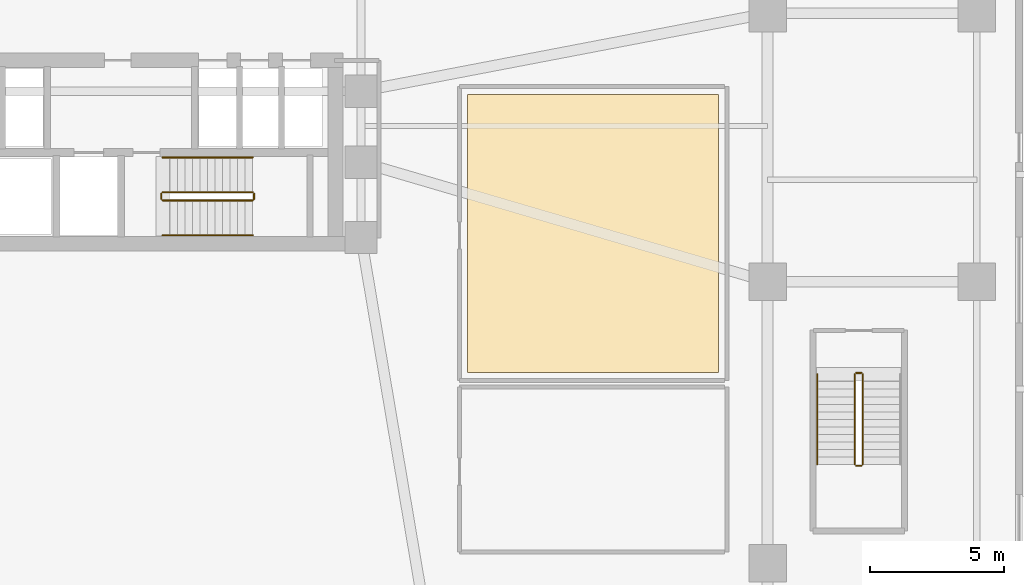
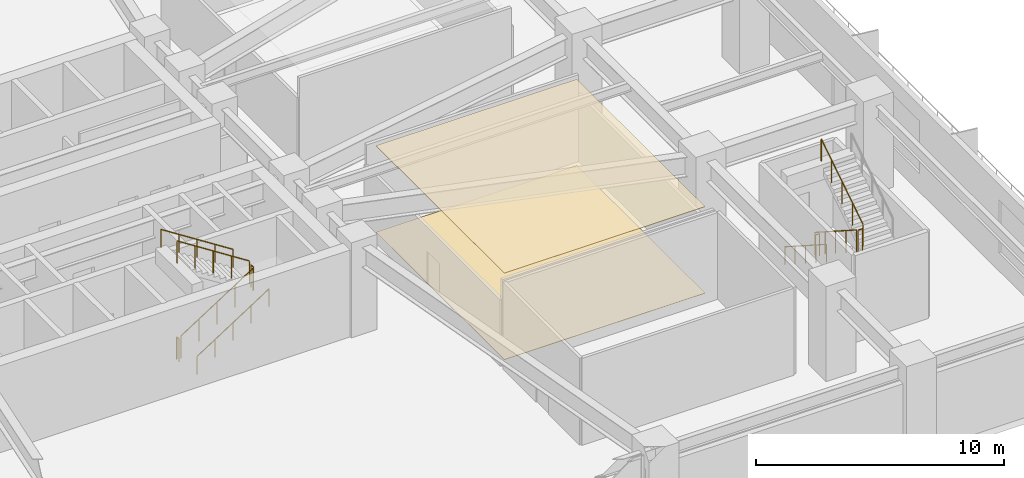
# One storey, part 11 of 13: 11 railings, 2 coverings.
"""IFC4 building model written with IfcOpenShell, lengths in metres."""

from ifc_helpers import new_model, si_unit, direction, frame, origin, origin_2d, place, context, subcontext, project, spatial, polyline, circle, outline, extrude, material, layer, layer_set, type_object, element, save


model = new_model("IFC4")

# Units and contexts
model_context = context("Model", 3, precision=1e-05, world=origin(), true_north=direction((0.0, 1.0)))
body_context = subcontext(model_context, "Body", "Model", "MODEL_VIEW")
ifc_project = project(units=[si_unit("LENGTHUNIT", "METRE"), si_unit("AREAUNIT", "SQUARE_METRE"), si_unit("VOLUMEUNIT", "CUBIC_METRE"), si_unit("PLANEANGLEUNIT", "RADIAN"), si_unit("MASSUNIT", "GRAM", prefix="KILO")], contexts=[model_context])

# Site, building, storey
site_placement = place(None, origin())
site = spatial("IfcSite", under=ifc_project, at=site_placement, CompositionType="ELEMENT")
building_placement = place(site_placement, origin())
building = spatial("IfcBuilding", under=site, at=building_placement, Name="Solmarez Civic Tower", CompositionType="ELEMENT")
storey_placement = place(building_placement, frame((0.0, 0.0, 14.760009765625)))
storey = spatial("IfcBuildingStorey", under=building, at=storey_placement, Name="L03", CompositionType="ELEMENT", Elevation=14.760009765625)

# Coverings
ifc_material_1 = material(Name="Perforated Mineral-Fibre Acoustic Ceiling")
ifc_layer_1 = layer(ifc_material_1, 0.02490234375)
ifc_layer_set_1 = layer_set([ifc_layer_1], Name="Perforated Mineral-Fibre Acoustic Ceiling")
covering_type_1 = type_object("IfcCoveringType", Name="COV-CEIL-ACOUSTIC", PredefinedType="CEILING", material=ifc_layer_set_1)
covering_1_placement = place(storey_placement, frame((0.0, 0.0, 4.2548828125)))
element("IfcCovering", 1, at=covering_1_placement, inside=storey, type_object=covering_type_1, Name="L03 Suspended Acoustic Ceiling 3", PredefinedType="CEILING", context=body_context, shape_type="SweptSolid", body=[
    extrude(outline(polyline([(22.179931640625, -13.3798828125), (22.179931640625, -3.02001953125), (12.820068359375, -3.02001953125), (12.820068359375, -13.3798828125), (22.179931640625, -13.3798828125)])), origin(), (0.0, 0.0, 1.0), 0.025146484375),
])
ifc_material_2 = material(Name="Polished Tropical Stone Terrazzo Flooring", Category="masonry")
ifc_layer_2 = layer(ifc_material_2, 0.02001953125)
ifc_layer_set_2 = layer_set([ifc_layer_2], Name="Polished Tropical Stone Terrazzo Flooring")
covering_type_2 = type_object("IfcCoveringType", Name="COV-FLOOR-TERRAZZO", PredefinedType="FLOORING", material=ifc_layer_set_2)
covering_2_placement = place(storey_placement, origin())
element("IfcCovering", 2, at=covering_2_placement, inside=storey, type_object=covering_type_2, Name="L03 Terrazzo Floor Finish 3", PredefinedType="FLOORING", context=body_context, shape_type="SweptSolid", body=[
    extrude(outline(polyline([(22.179931640625, -13.3798828125), (22.179931640625, -3.02001953125), (12.820068359375, -3.02001953125), (12.820068359375, -13.3798828125), (22.179931640625, -13.3798828125)])), origin(), (0.0, 0.0, 1.0), 0.02001953125),
])

# Railings
ifc_material_3 = material(Name="Painted Steel Stairwell Safety Guard", Category="steel")
railing_type_1 = type_object("IfcRailingType", Name="GUARD-STAIR-1120", PredefinedType="BALUSTRADE", material=ifc_material_3)
railing_1_placement = place(storey_placement, frame((1.449951171875, -6.969970703125, 0.179931640625)))
element("IfcRailing", 3, at=railing_1_placement, inside=storey, type_object=railing_type_1, Name="L03 ST-2 stair guard 1", PredefinedType="BALUSTRADE", context=body_context, shape_type="SweptSolid", body=[
    extrude(circle(Radius=0.02392578125, at=origin_2d()), frame((0.0, 0.0, 1.09619140625), z_axis=(0.8411685463, 0.0, 0.540773036232), x_axis=(0.0, 1.0, 0.0)), (0.0, 0.0, 1.0), 3.99462890625),
    extrude(circle(Radius=0.02099609375, at=origin_2d()), origin(), (0.0, 0.0, 1.0), 1.072021484375),
    extrude(circle(Radius=0.02099609375, at=origin_2d()), frame((0.840087890625, 0.0, 0.5400390625)), (0.0, 0.0, 1.0), 1.072021484375),
    extrude(circle(Radius=0.02099609375, at=origin_2d()), frame((1.68017578125, 0.0, 1.080078125)), (0.0, 0.0, 1.0), 1.072021484375),
    extrude(circle(Radius=0.02099609375, at=origin_2d()), frame((2.52001953125, 0.0, 1.6201171875)), (0.0, 0.0, 1.0), 1.072021484375),
    extrude(circle(Radius=0.02099609375, at=origin_2d()), frame((3.360107421875, 0.0, 2.16015625)), (0.0, 0.0, 1.0), 1.072021484375),
])
railing_2_placement = place(storey_placement, frame((4.860107421875, -6.919921875, 2.340087890625)))
element("IfcRailing", 4, at=railing_2_placement, inside=storey, type_object=railing_type_1, Name="L03 ST-2 stair guard 2", PredefinedType="BALUSTRADE", context=body_context, shape_type="SweptSolid", body=[
    extrude(circle(Radius=0.02392578125, at=origin_2d()), frame((0.0, 0.0, 1.09619140625), z_axis=(0.0, 1.0, 0.0), x_axis=(-1.0, 0.0, 0.0)), (0.0, 0.0, 1.0), 0.199951171875),
    extrude(circle(Radius=0.02099609375, at=origin_2d()), origin(), (0.0, 0.0, 1.0), 1.072021484375),
    extrude(circle(Radius=0.02099609375, at=origin_2d()), frame((0.0, 0.199951171875, 0.0)), (0.0, 0.0, 1.0), 1.072021484375),
])
railing_3_placement = place(storey_placement, frame((4.81005859375, -6.669921875, 2.52001953125)))
element("IfcRailing", 5, at=railing_3_placement, inside=storey, type_object=railing_type_1, Name="L03 ST-2 stair guard 3", PredefinedType="BALUSTRADE", context=body_context, shape_type="SweptSolid", body=[
    extrude(circle(Radius=0.02392578125, at=origin_2d()), frame((0.0, 0.0, 1.09619140625), z_axis=(-0.84119634759, 0.0, 0.540729789082), x_axis=(0.0, -1.0, 0.0)), (0.0, 0.0, 1.0), 3.994384765625),
    extrude(circle(Radius=0.02099609375, at=origin_2d()), origin(), (0.0, 0.0, 1.0), 1.072021484375),
    extrude(circle(Radius=0.02099609375, at=origin_2d()), frame((-0.840087890625, 0.0, 0.5400390625)), (0.0, 0.0, 1.0), 1.072021484375),
    extrude(circle(Radius=0.02099609375, at=origin_2d()), frame((-1.68017578125, 0.0, 1.080078125)), (0.0, 0.0, 1.0), 1.072021484375),
    extrude(circle(Radius=0.02099609375, at=origin_2d()), frame((-2.52001953125, 0.0, 1.619873046875)), (0.0, 0.0, 1.0), 1.072021484375),
    extrude(circle(Radius=0.02099609375, at=origin_2d()), frame((-3.360107421875, 0.0, 2.159912109375)), (0.0, 0.0, 1.0), 1.072021484375),
])
railing_4_placement = place(storey_placement, frame((1.39990234375, -6.919921875, 0.0)))
element("IfcRailing", 6, at=railing_4_placement, inside=storey, type_object=railing_type_1, Name="L03 ST-2 stair guard 4", PredefinedType="BALUSTRADE", context=body_context, shape_type="SweptSolid", body=[
    extrude(circle(Radius=0.02392578125, at=origin_2d()), frame((0.0, 0.0, 1.09619140625), z_axis=(0.0, 1.0, 0.0), x_axis=(-1.0, 0.0, 0.0)), (0.0, 0.0, 1.0), 0.199951171875),
    extrude(circle(Radius=0.02099609375, at=origin_2d()), origin(), (0.0, 0.0, 1.0), 1.072021484375),
    extrude(circle(Radius=0.02099609375, at=origin_2d()), frame((0.0, 0.199951171875, 0.0)), (0.0, 0.0, 1.0), 1.072021484375),
])
railing_5_placement = place(storey_placement, frame((27.25, -13.449951171875, 0.179931640625)))
element("IfcRailing", 7, at=railing_5_placement, inside=storey, type_object=railing_type_1, Name="L03 ST-P2 stair guard 1", PredefinedType="BALUSTRADE", context=body_context, shape_type="SweptSolid", body=[
    extrude(circle(Radius=0.02392578125, at=origin_2d()), frame((0.0, 0.0, 1.09619140625), z_axis=(0.0, -0.8411685463, 0.540773036232), x_axis=(1.0, 0.0, 0.0)), (0.0, 0.0, 1.0), 3.99462890625),
    extrude(circle(Radius=0.02099609375, at=origin_2d()), origin(), (0.0, 0.0, 1.0), 1.072021484375),
    extrude(circle(Radius=0.02099609375, at=origin_2d()), frame((0.0, -0.840087890625, 0.5400390625)), (0.0, 0.0, 1.0), 1.072021484375),
    extrude(circle(Radius=0.02099609375, at=origin_2d()), frame((0.0, -1.68017578125, 1.080078125)), (0.0, 0.0, 1.0), 1.072021484375),
    extrude(circle(Radius=0.02099609375, at=origin_2d()), frame((0.0, -2.52001953125, 1.6201171875)), (0.0, 0.0, 1.0), 1.072021484375),
    extrude(circle(Radius=0.02099609375, at=origin_2d()), frame((0.0, -3.360107421875, 2.16015625)), (0.0, 0.0, 1.0), 1.072021484375),
])
railing_6_placement = place(storey_placement, frame((27.300048828125, -16.860107421875, 2.340087890625)))
element("IfcRailing", 8, at=railing_6_placement, inside=storey, type_object=railing_type_1, Name="L03 ST-P2 stair guard 2", PredefinedType="BALUSTRADE", context=body_context, shape_type="SweptSolid", body=[
    extrude(circle(Radius=0.02392578125, at=origin_2d()), frame((0.0, 0.0, 1.09619140625), z_axis=(1.0, 0.0, 0.0), x_axis=(0.0, 1.0, 0.0)), (0.0, 0.0, 1.0), 0.199951171875),
    extrude(circle(Radius=0.02099609375, at=origin_2d()), origin(), (0.0, 0.0, 1.0), 1.072021484375),
    extrude(circle(Radius=0.02099609375, at=origin_2d()), frame((0.199951171875, 0.0, 0.0)), (0.0, 0.0, 1.0), 1.072021484375),
])
railing_7_placement = place(storey_placement, frame((27.550048828125, -16.81005859375, 2.52001953125)))
element("IfcRailing", 9, at=railing_7_placement, inside=storey, type_object=railing_type_1, Name="L03 ST-P2 stair guard 3", PredefinedType="BALUSTRADE", context=body_context, shape_type="SweptSolid", body=[
    extrude(circle(Radius=0.02392578125, at=origin_2d()), frame((0.0, 0.0, 1.09619140625), z_axis=(0.0, 0.84119634759, 0.540729789082), x_axis=(-1.0, 0.0, 0.0)), (0.0, 0.0, 1.0), 3.994384765625),
    extrude(circle(Radius=0.02099609375, at=origin_2d()), origin(), (0.0, 0.0, 1.0), 1.072021484375),
    extrude(circle(Radius=0.02099609375, at=origin_2d()), frame((0.0, 0.840087890625, 0.5400390625)), (0.0, 0.0, 1.0), 1.072021484375),
    extrude(circle(Radius=0.02099609375, at=origin_2d()), frame((0.0, 1.68017578125, 1.080078125)), (0.0, 0.0, 1.0), 1.072021484375),
    extrude(circle(Radius=0.02099609375, at=origin_2d()), frame((0.0, 2.52001953125, 1.619873046875)), (0.0, 0.0, 1.0), 1.072021484375),
    extrude(circle(Radius=0.02099609375, at=origin_2d()), frame((0.0, 3.360107421875, 2.159912109375)), (0.0, 0.0, 1.0), 1.072021484375),
])
railing_8_placement = place(storey_placement, frame((27.300048828125, -13.39990234375, 0.0)))
element("IfcRailing", 10, at=railing_8_placement, inside=storey, type_object=railing_type_1, Name="L03 ST-P2 stair guard 4", PredefinedType="BALUSTRADE", context=body_context, shape_type="SweptSolid", body=[
    extrude(circle(Radius=0.02392578125, at=origin_2d()), frame((0.0, 0.0, 1.09619140625), z_axis=(1.0, 0.0, 0.0), x_axis=(0.0, 1.0, 0.0)), (0.0, 0.0, 1.0), 0.199951171875),
    extrude(circle(Radius=0.02099609375, at=origin_2d()), origin(), (0.0, 0.0, 1.0), 1.072021484375),
    extrude(circle(Radius=0.02099609375, at=origin_2d()), frame((0.199951171875, 0.0, 0.0)), (0.0, 0.0, 1.0), 1.072021484375),
])
ifc_material_4 = material(Name="Brushed Stainless Steel Tube Handrail", Category="steel")
railing_type_2 = type_object("IfcRailingType", Name="HANDRAIL-STAIR-900", PredefinedType="HANDRAIL", material=ifc_material_4)
railing_9_placement = place(storey_placement, frame((1.449951171875, -8.27001953125, 0.179931640625)))
element("IfcRailing", 11, at=railing_9_placement, inside=storey, type_object=railing_type_2, Name="L03 ST-2 stair handrail 1", PredefinedType="HANDRAIL", context=body_context, shape_type="SweptSolid", body=[
    extrude(circle(Radius=0.02392578125, at=origin_2d()), frame((0.0, 0.0, 0.8759765625), z_axis=(0.8411685463, 0.0, 0.540773036232), x_axis=(0.0, 1.0, 0.0)), (0.0, 0.0, 1.0), 3.99462890625),
    extrude(circle(Radius=0.02099609375, at=origin_2d()), origin(), (0.0, 0.0, 1.0), 0.851806640625),
    extrude(circle(Radius=0.02099609375, at=origin_2d()), frame((0.840087890625, 0.0, 0.5400390625)), (0.0, 0.0, 1.0), 0.851806640625),
    extrude(circle(Radius=0.02099609375, at=origin_2d()), frame((1.68017578125, 0.0, 1.080078125)), (0.0, 0.0, 1.0), 0.851806640625),
    extrude(circle(Radius=0.02099609375, at=origin_2d()), frame((2.52001953125, 0.0, 1.6201171875)), (0.0, 0.0, 1.0), 0.851806640625),
    extrude(circle(Radius=0.02099609375, at=origin_2d()), frame((3.360107421875, 0.0, 2.16015625)), (0.0, 0.0, 1.0), 0.851806640625),
])
railing_10_placement = place(storey_placement, frame((4.81005859375, -5.3701171875, 2.52001953125)))
element("IfcRailing", 12, at=railing_10_placement, inside=storey, type_object=railing_type_2, Name="L03 ST-2 stair handrail 2", PredefinedType="HANDRAIL", context=body_context, shape_type="SweptSolid", body=[
    extrude(circle(Radius=0.02392578125, at=origin_2d()), frame((0.0, 0.0, 0.8759765625), z_axis=(-0.84119634759, 0.0, 0.540729789082), x_axis=(0.0, -1.0, 0.0)), (0.0, 0.0, 1.0), 3.994384765625),
    extrude(circle(Radius=0.02099609375, at=origin_2d()), origin(), (0.0, 0.0, 1.0), 0.851806640625),
    extrude(circle(Radius=0.02099609375, at=origin_2d()), frame((-0.840087890625, 0.0, 0.5400390625)), (0.0, 0.0, 1.0), 0.851806640625),
    extrude(circle(Radius=0.02099609375, at=origin_2d()), frame((-1.68017578125, 0.0, 1.080078125)), (0.0, 0.0, 1.0), 0.851806640625),
    extrude(circle(Radius=0.02099609375, at=origin_2d()), frame((-2.52001953125, 0.0, 1.619873046875)), (0.0, 0.0, 1.0), 0.851806640625),
    extrude(circle(Radius=0.02099609375, at=origin_2d()), frame((-3.360107421875, 0.0, 2.159912109375)), (0.0, 0.0, 1.0), 0.851806640625),
])
railing_11_placement = place(storey_placement, frame((25.85009765625, -13.449951171875, 0.179931640625)))
element("IfcRailing", 13, at=railing_11_placement, inside=storey, type_object=railing_type_2, Name="L03 ST-P2 stair handrail 1", PredefinedType="HANDRAIL", context=body_context, shape_type="SweptSolid", body=[
    extrude(circle(Radius=0.02392578125, at=origin_2d()), frame((0.0, 0.0, 0.8759765625), z_axis=(0.0, -0.8411685463, 0.540773036232), x_axis=(1.0, 0.0, 0.0)), (0.0, 0.0, 1.0), 3.99462890625),
    extrude(circle(Radius=0.02099609375, at=origin_2d()), origin(), (0.0, 0.0, 1.0), 0.851806640625),
    extrude(circle(Radius=0.02099609375, at=origin_2d()), frame((0.0, -0.840087890625, 0.5400390625)), (0.0, 0.0, 1.0), 0.851806640625),
    extrude(circle(Radius=0.02099609375, at=origin_2d()), frame((0.0, -1.68017578125, 1.080078125)), (0.0, 0.0, 1.0), 0.851806640625),
    extrude(circle(Radius=0.02099609375, at=origin_2d()), frame((0.0, -2.52001953125, 1.6201171875)), (0.0, 0.0, 1.0), 0.851806640625),
    extrude(circle(Radius=0.02099609375, at=origin_2d()), frame((0.0, -3.360107421875, 2.16015625)), (0.0, 0.0, 1.0), 0.851806640625),
])

save(model, "model.ifc")
